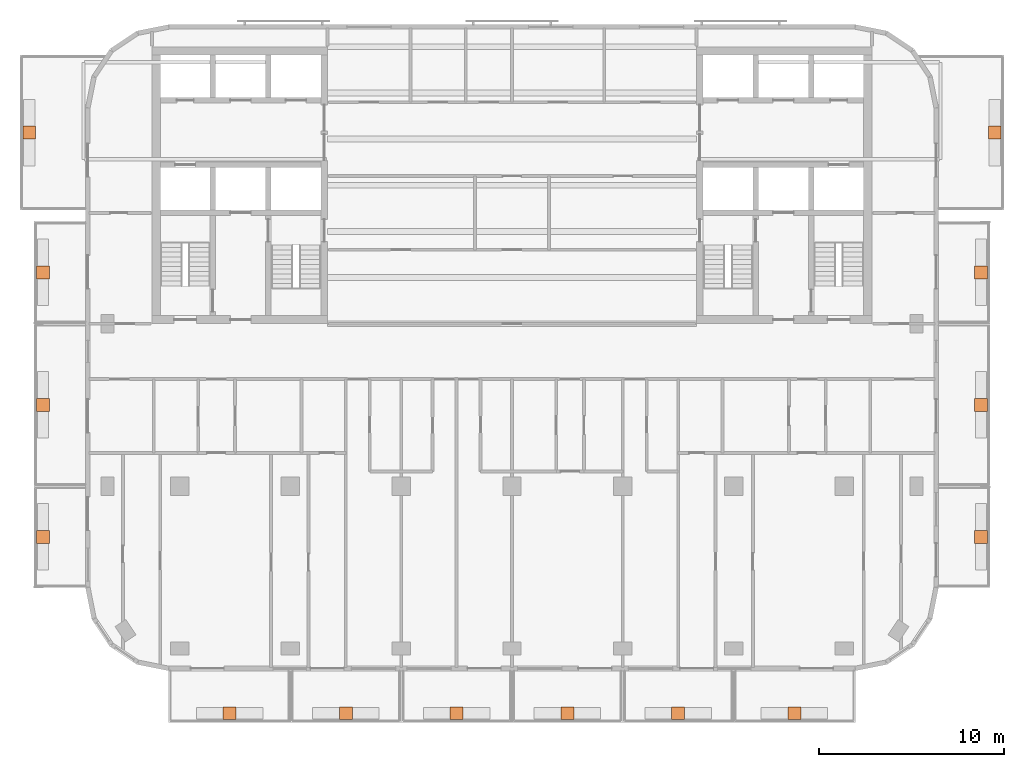
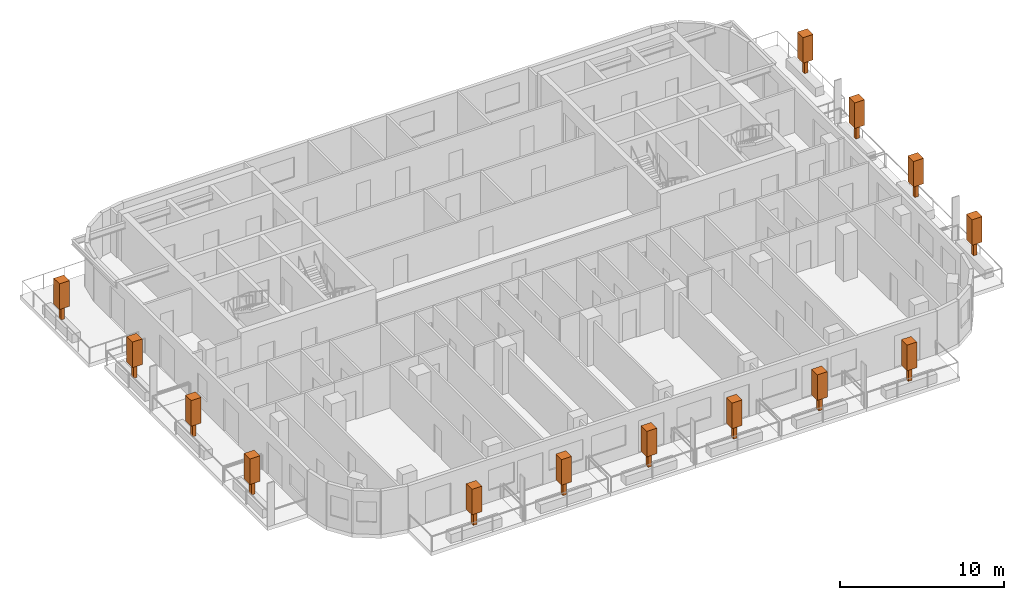
# One storey, part 11 of 11: 14 geographic elements.
"""IFC4 building model written with IfcOpenShell, lengths in metres."""

from ifc_helpers import new_model, si_unit, direction, frame, origin, origin_2d, place, context, subcontext, project, spatial, rectangle, extrude, material, element, save


model = new_model("IFC4")

# Units and contexts
model_context = context("Model", 3, precision=1e-05, world=origin(), true_north=direction((0.0, 1.0)))
body_context = subcontext(model_context, "Body", "Model", "MODEL_VIEW")
ifc_project = project(units=[si_unit("LENGTHUNIT", "METRE"), si_unit("AREAUNIT", "SQUARE_METRE"), si_unit("VOLUMEUNIT", "CUBIC_METRE"), si_unit("PLANEANGLEUNIT", "RADIAN"), si_unit("MASSUNIT", "GRAM", prefix="KILO")], contexts=[model_context])

# Site, building, storey
site_placement = place(None, origin())
site = spatial("IfcSite", under=ifc_project, at=site_placement, CompositionType="ELEMENT")
building_placement = place(site_placement, origin())
building = spatial("IfcBuilding", under=site, at=building_placement, Name="Torana Hotel and Residences", CompositionType="ELEMENT")
storey_placement = place(building_placement, frame((0.0, 0.0, 263.10009765625)))
storey = spatial("IfcBuildingStorey", under=building, at=storey_placement, Name="L69", CompositionType="ELEMENT", Elevation=263.10009765625)

# Geographic elements
ifc_material = material(Name="Foliage", Category="planting")
for number, where, z_axis, x_axis, name in (
    (1, (-15.300048828125, -36.10009765625, 0.64990234375), (0.0, 0.0, 1.0), (1.0, 0.0, 0.0), "Tree 01"),
    (2, (-9.0, -36.10009765625, 0.64990234375), (0.0, 0.0, 1.0), (1.0, 0.0, 0.0), "Tree 02"),
    (3, (-3.0, -36.10009765625, 0.64990234375), (0.0, 0.0, 1.0), (1.0, 0.0, 0.0), "Tree 03"),
    (4, (3.0, -36.10009765625, 0.64990234375), (0.0, 0.0, 1.0), (1.0, 0.0, 0.0), "Tree 04"),
    (5, (9.0, -36.10009765625, 0.64990234375), (0.0, 0.0, 1.0), (1.0, 0.0, 0.0), "Tree 05"),
    (6, (15.300048828125, -36.10009765625, 0.64990234375), (0.0, 0.0, 1.0), (1.0, 0.0, 0.0), "Tree 06"),
    (7, (-25.39990234375, -26.550048828125, 0.64990234375), (0.0, 0.0, 1.0), (1.0, 0.0, 0.0), "Tree 07"),
    (8, (-25.39990234375, -19.39990234375, 0.64990234375), (0.0, 0.0, 1.0), (1.0, 0.0, 0.0), "Tree 08"),
    (9, (-25.39990234375, -12.22509765625, 0.64990234375), (0.0, 0.0, 1.0), (1.0, 0.0, 0.0), "Tree 09"),
    (10, (-26.14990234375, -4.64990234375, 0.64990234375), (0.0, 0.0, 1.0), (1.0, 0.0, 0.0), "Tree 10"),
    (11, (25.39990234375, -26.550048828125, 0.64990234375), (0.0, 0.0, 1.0), (1.0, 0.0, 0.0), "Tree 11"),
    (12, (25.39990234375, -19.39990234375, 0.64990234375), (0.0, 0.0, 1.0), (1.0, 0.0, 0.0), "Tree 12"),
    (13, (25.39990234375, -12.22509765625, 0.64990234375), (0.0, 0.0, 1.0), (1.0, 0.0, 0.0), "Tree 13"),
    (14, (26.14990234375, -4.64990234375, 0.64990234375), (0.0, 0.0, 1.0), (1.0, 0.0, 0.0), "Tree 14"),
):
    element("IfcGeographicElement", number, at=place(storey_placement, frame(where, z_axis=z_axis, x_axis=x_axis)), inside=storey, material=ifc_material, Name=name, ObjectType="TREE", PredefinedType="USERDEFINED", context=body_context, shape_type="SweptSolid", body=[
        extrude(rectangle(XDim=0.25, YDim=0.25, at=origin_2d()), origin(), (0.0, 0.0, 1.0), 1.0),
        extrude(rectangle(XDim=0.699951171875, YDim=0.699951171875, at=origin_2d()), frame((0.0, 0.0, 1.0)), (0.0, 0.0, 1.0), 1.89990234375),
    ])

save(model, "model.ifc")
